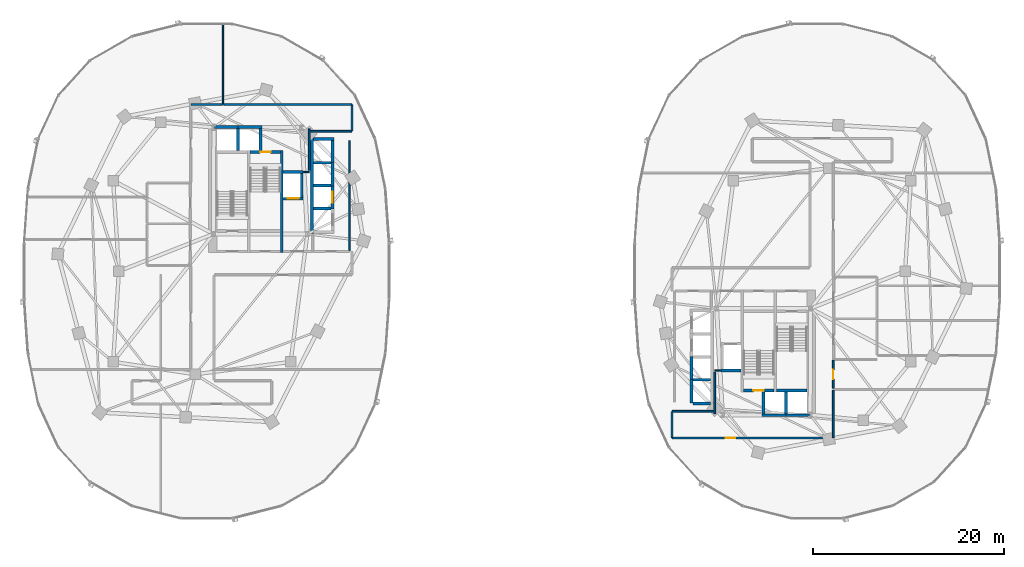
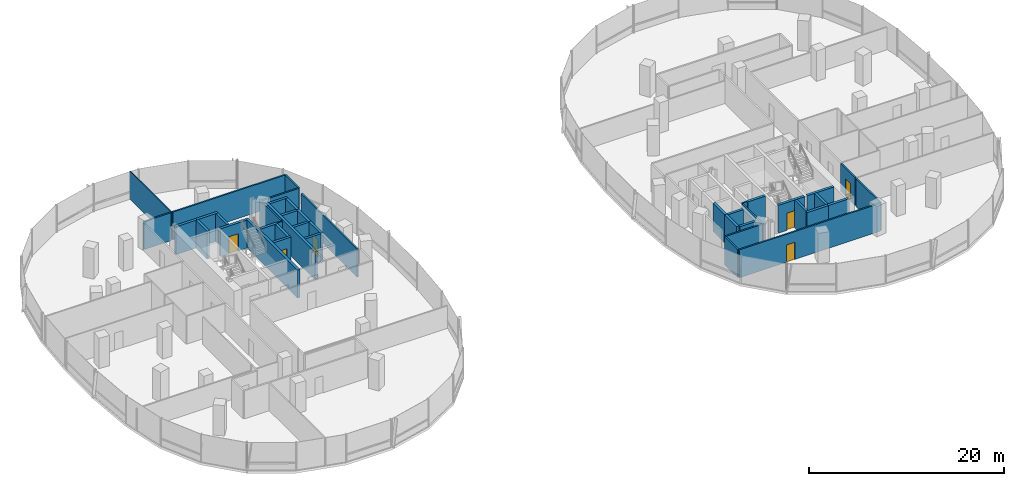
# One storey, part 12 of 21: 43 walls, 6 doors, 6 openings.
"""IFC4 building model written with IfcOpenShell, lengths in metres."""

from ifc_helpers import new_model, si_unit, direction, frame, frame_2d, origin, place, context, subcontext, project, spatial, rectangle, extrude, material, layer, layer_set, type_object, element, fill, save


model = new_model("IFC4")

# Units and contexts
model_context = context("Model", 3, precision=1e-05, world=origin(), true_north=direction((0.0, 1.0)))
body_context = subcontext(model_context, "Body", "Model", "MODEL_VIEW")
ifc_project = project(units=[si_unit("LENGTHUNIT", "METRE"), si_unit("AREAUNIT", "SQUARE_METRE"), si_unit("VOLUMEUNIT", "CUBIC_METRE"), si_unit("PLANEANGLEUNIT", "RADIAN"), si_unit("MASSUNIT", "GRAM", prefix="KILO"), si_unit("THERMODYNAMICTEMPERATUREUNIT", "KELVIN"), si_unit("POWERUNIT", "WATT")], contexts=[model_context])

# Site, building, storey
site_placement = place(None, origin())
site = spatial("IfcSite", under=ifc_project, at=site_placement, CompositionType="ELEMENT")
building_placement = place(site_placement, origin())
building = spatial("IfcBuilding", under=site, at=building_placement, Name="Cundina Bronze Exchange", CompositionType="ELEMENT")
storey_placement = place(building_placement, frame((0.0, 0.0, 54.39990234375)))
storey = spatial("IfcBuildingStorey", under=building, at=storey_placement, Name="L13", CompositionType="ELEMENT", Elevation=54.39990234375)

# Walls
ifc_material_1 = material(Name="Gypsum Fireboard Partition EI120")
ifc_layer_1 = layer(ifc_material_1, 0.179931640625, Name="Gypsum Fireboard Partition EI120")
ifc_layer_set_1 = layer_set([ifc_layer_1], Name="Gypsum Fireboard Partition EI120")
wall_type_1 = type_object("IfcWallType", Name="WL-COR-180", PredefinedType="PARTITIONING", material=ifc_layer_set_1)
wall_1_placement = place(storey_placement, frame((-17.02001953125, 2.169921875, 0.0), z_axis=(0.0, 0.0, 1.0), x_axis=(0.0, 1.0, 0.0)))
element("IfcWall", 1, at=wall_1_placement, inside=storey, type_object=wall_type_1, Name="L13 Interior Partition 001", PredefinedType="PARTITIONING", context=body_context, shape_type="SweptSolid", body=[
    extrude(rectangle(XDim=11.510009765625, YDim=0.179931640625, at=frame_2d((5.7548828125, 0.0))), origin(), (0.0, 0.0, 1.0), 3.5),
])
wall_2_placement = place(storey_placement, frame((-21.25, 10.570068359375, 0.0), z_axis=(0.0, 0.0, 1.0), x_axis=(0.0, 1.0, 0.0)))
element("IfcWall", 2, at=wall_2_placement, inside=storey, type_object=wall_type_1, Name="L13 Interior Partition 004", PredefinedType="PARTITIONING", context=body_context, shape_type="SweptSolid", body=[
    extrude(rectangle(XDim=4.35986328125, YDim=0.179931640625, at=frame_2d((2.179931640625, 0.0))), origin(), (0.0, 0.0, 1.0), 3.5),
])
wall_3_placement = place(storey_placement, frame((-16.821533203125, 17.469970703125, 0.0), z_axis=(0.0, 0.0, 1.0), x_axis=(-1.0, 0.0, 0.0)))
element("IfcWall", 3, at=wall_3_placement, inside=storey, type_object=wall_type_1, Name="L13 Interior Partition 032", PredefinedType="PARTITIONING", context=body_context, shape_type="SweptSolid", body=[
    extrude(rectangle(XDim=13.368408203125, YDim=0.179931640625, at=frame_2d((6.68408203125, 0.0))), origin(), (0.0, 0.0, 1.0), 3.5),
])
wall_4_placement = place(storey_placement, frame((-21.178466796875, 14.679931640625, 0.0), z_axis=(0.0, 0.0, 1.0), x_axis=(1.0, 0.0, 0.0)))
element("IfcWall", 4, at=wall_4_placement, inside=storey, type_object=wall_type_1, Name="L13 Interior Partition 034", PredefinedType="PARTITIONING", context=body_context, shape_type="SweptSolid", body=[
    extrude(rectangle(XDim=4.35693359375, YDim=0.179931640625, at=frame_2d((2.178466796875, 0.0))), origin(), (0.0, 0.0, 1.0), 3.5),
])
wall_5_placement = place(storey_placement, frame((-16.780029296875, 14.721435546875, 0.0), z_axis=(0.0, 0.0, 1.0), x_axis=(0.0, 1.0, 0.0)))
element("IfcWall", 5, at=wall_5_placement, inside=storey, type_object=wall_type_1, Name="L13 Interior Partition 035", PredefinedType="PARTITIONING", context=body_context, shape_type="SweptSolid", body=[
    extrude(rectangle(XDim=2.70703125, YDim=0.179931640625, at=frame_2d((1.353515625, 0.0))), origin(), (0.0, 0.0, 1.0), 3.5),
])
wall_6_placement = place(storey_placement, frame((-30.3701171875, 17.469970703125, 0.0), z_axis=(0.0, 0.0, 1.0), x_axis=(-1.0, 0.0, 0.0)))
element("IfcWall", 6, at=wall_6_placement, inside=storey, type_object=wall_type_1, Name="L13 Interior Partition 038", PredefinedType="PARTITIONING", context=body_context, shape_type="SweptSolid", body=[
    extrude(rectangle(XDim=3.25830078125, YDim=0.179931640625, at=frame_2d((1.629150390625, 0.0))), origin(), (0.0, 0.0, 1.0), 3.5),
])
wall_7_placement = place(storey_placement, frame((21.25, -14.929931640625, 0.0), z_axis=(0.0, 0.0, 1.0), x_axis=(0.0, 1.0, 0.0)))
element("IfcWall", 7, at=wall_7_placement, inside=storey, type_object=wall_type_1, Name="L13 Interior Partition 043", PredefinedType="PARTITIONING", context=body_context, shape_type="SweptSolid", body=[
    extrude(rectangle(XDim=4.35986328125, YDim=0.179931640625, at=frame_2d((2.179931640625, 0.0))), origin(), (0.0, 0.0, 1.0), 3.5),
])

# Wall, opening, door
wall_8_placement = place(storey_placement, frame((33.669921875, -12.2900390625, 0.0), z_axis=(0.0, 0.0, 1.0), x_axis=(0.0, 1.0, 0.0)))
wall_8 = element("IfcWall", 8, at=wall_8_placement, inside=storey, type_object=wall_type_1, Name="L13 Interior Partition 057", PredefinedType="PARTITIONING", context=body_context, shape_type="SweptSolid", body=[
    extrude(rectangle(XDim=2.938720703125, YDim=0.179931640625, at=frame_2d((1.46923828125, 0.0))), origin(), (0.0, 0.0, 1.0), 3.5),
])
opening_1_placement = place(wall_8_placement, frame((0.96923828125, 0.0, 0.0)))
opening_1 = element("IfcOpeningElement", 9, at=opening_1_placement, cuts=wall_8, Name="Opening DO-01", PredefinedType="OPENING", context=body_context, shape_type="SweptSolid", body=[
    extrude(rectangle(XDim=1.0, YDim=2.14990234375, at=frame_2d((0.5, 1.074951171875))), frame((0.0, 0.099853515625, 0.0), z_axis=(0.0, -1.0, 0.0), x_axis=(1.0, 0.0, 0.0)), (0.0, 0.0, 1.0), 0.199951171875),
])
ifc_material_2 = material(Name="Solid Andean Oak Timber Grade A", Category="wood")
door_type_1 = type_object("IfcDoorType", Name="DR-OFF-1000", OperationType="NOTDEFINED", PredefinedType="DOOR", material=ifc_material_2)
door_1_placement = place(opening_1_placement, origin())
door_1 = element("IfcDoor", 10, at=door_1_placement, inside=storey, type_object=door_type_1, Name="L13 Interior Door 057", OperationType="SINGLE_SWING_RIGHT", OverallHeight=2.14990234375, OverallWidth=1.0, PredefinedType="DOOR", context=body_context, shape_type="SweptSolid", body=[
    extrude(rectangle(XDim=1.0, YDim=2.14990234375, at=frame_2d((0.5, 1.074951171875))), frame((0.0, 0.02490234375, 0.0), z_axis=(0.0, -1.0, 0.0), x_axis=(1.0, 0.0, 0.0)), (0.0, 0.0, 1.0), 0.050048828125),
])
fill(opening_1, door_1)

wall_9_placement = place(storey_placement, frame((16.821533203125, -17.469970703125, 0.0), z_axis=(0.0, 0.0, 1.0), x_axis=(1.0, 0.0, 0.0)))
wall_9 = element("IfcWall", 11, at=wall_9_placement, inside=storey, type_object=wall_type_1, Name="L13 Interior Partition 058", PredefinedType="PARTITIONING", context=body_context, shape_type="SweptSolid", body=[
    extrude(rectangle(XDim=16.806884765625, YDim=0.179931640625, at=frame_2d((8.4033203125, 0.0))), origin(), (0.0, 0.0, 1.0), 3.5),
])
opening_2_placement = place(wall_9_placement, frame((5.568603515625, 0.0, 0.0)))
opening_2 = element("IfcOpeningElement", 12, at=opening_2_placement, cuts=wall_9, Name="Opening DO-01", PredefinedType="OPENING", context=body_context, shape_type="SweptSolid", body=[
    extrude(rectangle(XDim=1.0, YDim=2.14990234375, at=frame_2d((0.5, 1.074951171875))), frame((0.0, 0.099853515625, 0.0), z_axis=(0.0, -1.0, 0.0), x_axis=(1.0, 0.0, 0.0)), (0.0, 0.0, 1.0), 0.199951171875),
])
door_2_placement = place(opening_2_placement, origin())
door_2 = element("IfcDoor", 13, at=door_2_placement, inside=storey, type_object=door_type_1, Name="L13 Interior Door 058", OperationType="SINGLE_SWING_RIGHT", OverallHeight=2.14990234375, OverallWidth=1.0, PredefinedType="DOOR", context=body_context, shape_type="SweptSolid", body=[
    extrude(rectangle(XDim=1.0, YDim=2.14990234375, at=frame_2d((0.5, 1.074951171875))), frame((0.0, 0.02490234375, 0.0), z_axis=(0.0, -1.0, 0.0), x_axis=(1.0, 0.0, 0.0)), (0.0, 0.0, 1.0), 0.050048828125),
])
fill(opening_2, door_2)

# Walls
wall_10_placement = place(storey_placement, frame((33.669921875, -17.428466796875, 0.0), z_axis=(0.0, 0.0, 1.0), x_axis=(0.0, 1.0, 0.0)))
element("IfcWall", 14, at=wall_10_placement, inside=storey, type_object=wall_type_1, Name="L13 Interior Partition 061", PredefinedType="PARTITIONING", context=body_context, shape_type="SweptSolid", body=[
    extrude(rectangle(XDim=4.95849609375, YDim=0.179931640625, at=frame_2d((2.479248046875, 0.0))), origin(), (0.0, 0.0, 1.0), 3.5),
])
wall_11_placement = place(storey_placement, frame((21.178466796875, -14.679931640625, 0.0), z_axis=(0.0, 0.0, 1.0), x_axis=(-1.0, 0.0, 0.0)))
element("IfcWall", 15, at=wall_11_placement, inside=storey, type_object=wall_type_1, Name="L13 Interior Partition 062", PredefinedType="PARTITIONING", context=body_context, shape_type="SweptSolid", body=[
    extrude(rectangle(XDim=4.35693359375, YDim=0.179931640625, at=frame_2d((2.178466796875, 0.0))), origin(), (0.0, 0.0, 1.0), 3.5),
])
wall_12_placement = place(storey_placement, frame((16.780029296875, -14.721435546875, 0.0), z_axis=(0.0, 0.0, 1.0), x_axis=(0.0, -1.0, 0.0)))
element("IfcWall", 16, at=wall_12_placement, inside=storey, type_object=wall_type_1, Name="L13 Interior Partition 063", PredefinedType="PARTITIONING", context=body_context, shape_type="SweptSolid", body=[
    extrude(rectangle(XDim=2.70703125, YDim=0.179931640625, at=frame_2d((1.353515625, 0.0))), origin(), (0.0, 0.0, 1.0), 3.5),
])
ifc_material_3 = material(Name="Gypsum Acoustic Partition EI60")
ifc_layer_2 = layer(ifc_material_3, 0.125, Name="Gypsum Acoustic Partition EI60")
ifc_layer_set_2 = layer_set([ifc_layer_2], Name="Gypsum Acoustic Partition EI60")
wall_type_2 = type_object("IfcWallType", Name="WL-OFF-125", PredefinedType="PARTITIONING", material=ifc_layer_set_2)
wall_13_placement = place(storey_placement, frame((-30.280029296875, 17.5, 0.0), z_axis=(0.0, 0.0, 1.0), x_axis=(0.0, 1.0, 0.0)))
element("IfcWall", 17, at=wall_13_placement, inside=storey, type_object=wall_type_2, Name="L13 Interior Partition 022", PredefinedType="PARTITIONING", context=body_context, shape_type="SweptSolid", body=[
    extrude(rectangle(XDim=8.485107421875, YDim=0.125, at=frame_2d((4.24267578125, 0.0))), origin(), (0.0, 0.0, 1.0), 3.5),
])
ifc_material_4 = material(Name="Concrete C50/60", Category="concrete")
ifc_layer_3 = layer(ifc_material_4, 0.300048828125, Name="Concrete C50/60", Category="concrete")
ifc_layer_set_3 = layer_set([ifc_layer_3], Name="Concrete C50/60")
wall_type_3 = type_object("IfcWallType", Name="WL-SHFT-300", PredefinedType="SHEAR", material=ifc_layer_set_3)
wall_14_placement = place(storey_placement, frame((-24.1298828125, 1.969970703125, 0.0), z_axis=(0.0, 0.0, 1.0), x_axis=(0.0, 1.0, 0.0)))
element("IfcWall", 18, at=wall_14_placement, inside=storey, type_object=wall_type_3, Name="L13 W Stair 2 East Shear Wall", PredefinedType="SHEAR", context=body_context, shape_type="SweptSolid", body=[
    extrude(rectangle(XDim=10.679931640625, YDim=0.300048828125, at=frame_2d((5.33984375, 0.0))), origin(), (0.0, 0.0, 1.0), 3.5),
])

# Wall, opening, door
wall_15_placement = place(storey_placement, frame((-27.43994140625, 12.5, 0.0), z_axis=(0.0, 0.0, 1.0), x_axis=(1.0, 0.0, 0.0)))
wall_15 = element("IfcWall", 19, at=wall_15_placement, inside=storey, type_object=wall_type_3, Name="L13 Stair W2 Landing Wall", PredefinedType="SHEAR", context=body_context, shape_type="SweptSolid", body=[
    extrude(rectangle(XDim=3.159912109375, YDim=0.300048828125, at=frame_2d((1.580078125, 0.0))), origin(), (0.0, 0.0, 1.0), 3.5),
])
opening_3_placement = place(wall_15_placement, frame((1.030029296875, 0.0, 0.0)))
opening_3 = element("IfcOpeningElement", 20, at=opening_3_placement, cuts=wall_15, Name="Opening DS-01", PredefinedType="OPENING", context=body_context, shape_type="SweptSolid", body=[
    extrude(rectangle(XDim=1.10009765625, YDim=2.14990234375, at=frame_2d((0.550048828125, 1.074951171875))), frame((0.0, 0.159912109375, 0.0), z_axis=(0.0, -1.0, 0.0), x_axis=(1.0, 0.0, 0.0)), (0.0, 0.0, 1.0), 0.320068359375),
])
ifc_material_5 = material(Name="Steel ASTM A36 Painted", Category="steel")
door_type_2 = type_object("IfcDoorType", Name="DR-STR-1100", OperationType="NOTDEFINED", PredefinedType="DOOR", material=ifc_material_5)
door_3_placement = place(opening_3_placement, origin())
door_3 = element("IfcDoor", 21, at=door_3_placement, inside=storey, type_object=door_type_2, Name="L13 Smokeproof Stair W2 Door", OperationType="SINGLE_SWING_LEFT", OverallHeight=2.14990234375, OverallWidth=1.10009765625, PredefinedType="DOOR", context=body_context, shape_type="SweptSolid", body=[
    extrude(rectangle(XDim=1.10009765625, YDim=2.14990234375, at=frame_2d((0.550048828125, 1.074951171875))), frame((0.0, 0.02490234375, 0.0), z_axis=(0.0, -1.0, 0.0), x_axis=(1.0, 0.0, 0.0)), (0.0, 0.0, 1.0), 0.050048828125),
])
fill(opening_3, door_3)

wall_16_placement = place(storey_placement, frame((-23.97998046875, 7.60009765625, 0.0), z_axis=(0.0, 0.0, 1.0), x_axis=(1.0, 0.0, 0.0)))
wall_16 = element("IfcWall", 22, at=wall_16_placement, inside=storey, type_object=wall_type_3, Name="L13 FFL-W Hoistway Front Wall", PredefinedType="SHEAR", context=body_context, shape_type="SweptSolid", body=[
    extrude(rectangle(XDim=2.10009765625, YDim=0.300048828125, at=frame_2d((1.050048828125, 0.0))), origin(), (0.0, 0.0, 1.0), 3.5),
])
opening_4_placement = place(wall_16_placement, frame((0.47509765625, 0.0, 0.0)))
opening_4 = element("IfcOpeningElement", 23, at=opening_4_placement, cuts=wall_16, Name="Opening LD-01", PredefinedType="OPENING", context=body_context, shape_type="SweptSolid", body=[
    extrude(rectangle(XDim=1.14990234375, YDim=2.199951171875, at=frame_2d((0.574951171875, 1.10009765625))), frame((0.0, 0.159912109375, 0.0), z_axis=(0.0, -1.0, 0.0), x_axis=(1.0, 0.0, 0.0)), (0.0, 0.0, 1.0), 0.320068359375),
])
door_type_3 = type_object("IfcDoorType", Name="DR-LND-1150", OperationType="NOTDEFINED", PredefinedType="TRAPDOOR", material=ifc_material_5)
door_4_placement = place(opening_4_placement, origin())
door_4 = element("IfcDoor", 24, at=door_4_placement, inside=storey, type_object=door_type_3, Name="L13 FFL-W Sliding Landing Door", OperationType="SLIDING_TO_LEFT", OverallHeight=2.199951171875, OverallWidth=1.14990234375, PredefinedType="TRAPDOOR", context=body_context, shape_type="SweptSolid", body=[
    extrude(rectangle(XDim=1.14990234375, YDim=2.199951171875, at=frame_2d((0.574951171875, 1.10009765625))), frame((0.0, 0.02490234375, 0.0), z_axis=(0.0, -1.0, 0.0), x_axis=(1.0, 0.0, 0.0)), (0.0, 0.0, 1.0), 0.050048828125),
])
fill(opening_4, door_4)

# Walls
wall_17_placement = place(storey_placement, frame((-23.97998046875, 10.39990234375, 0.0), z_axis=(0.0, 0.0, 1.0), x_axis=(1.0, 0.0, 0.0)))
element("IfcWall", 25, at=wall_17_placement, inside=storey, type_object=wall_type_3, Name="L13 FFL-W Hoistway Back Wall", PredefinedType="SHEAR", context=body_context, shape_type="SweptSolid", body=[
    extrude(rectangle(XDim=2.10009765625, YDim=0.300048828125, at=frame_2d((1.050048828125, 0.0))), origin(), (0.0, 0.0, 1.0), 3.5),
])
for number, where, z_axis, x_axis, name in (
    (26, (-22.030029296875, 7.75, 0.0), (0.0, 0.0, 1.0), (0.0, 1.0, 0.0), "L13 FFL-W Hoistway Side Wall"),
    (27, (-31.199951171875, 15.10009765625, 0.0), (0.0, 0.0, 1.0), (1.0, 0.0, 0.0), "L13 PH-W1 Hoistway Front Wall"),
):
    element("IfcWall", number, at=place(storey_placement, frame(where, z_axis=z_axis, x_axis=x_axis)), inside=storey, type_object=wall_type_3, Name=name, PredefinedType="SHEAR", context=body_context, shape_type="SweptSolid", body=[
        extrude(rectangle(XDim=2.5, YDim=0.300048828125, at=frame_2d((1.25, 0.0))), origin(), (0.0, 0.0, 1.0), 3.5),
    ])
wall_18_placement = place(storey_placement, frame((-28.699951171875, 12.64990234375, 0.0), z_axis=(0.0, 0.0, 1.0), x_axis=(0.0, 1.0, 0.0)))
element("IfcWall", 28, at=wall_18_placement, inside=storey, type_object=wall_type_3, Name="L13 PH-W1 Hoistway Divider Wall", PredefinedType="SHEAR", context=body_context, shape_type="SweptSolid", body=[
    extrude(rectangle(XDim=2.300048828125, YDim=0.300048828125, at=frame_2d((1.14990234375, 0.0))), origin(), (0.0, 0.0, 1.0), 3.5),
])
wall_19_placement = place(storey_placement, frame((-28.699951171875, 15.10009765625, 0.0), z_axis=(0.0, 0.0, 1.0), x_axis=(1.0, 0.0, 0.0)))
element("IfcWall", 29, at=wall_19_placement, inside=storey, type_object=wall_type_3, Name="L13 PH-W2 Hoistway Front Wall", PredefinedType="SHEAR", context=body_context, shape_type="SweptSolid", body=[
    extrude(rectangle(XDim=2.5, YDim=0.300048828125, at=frame_2d((1.25, 0.0))), origin(), (0.0, 0.0, 1.0), 3.5),
])
wall_20_placement = place(storey_placement, frame((-26.35009765625, 12.64990234375, 0.0), z_axis=(0.0, 0.0, 1.0), x_axis=(0.0, 1.0, 0.0)))
element("IfcWall", 30, at=wall_20_placement, inside=storey, type_object=wall_type_3, Name="L13 PH-W2 Hoistway Divider Wall", PredefinedType="SHEAR", context=body_context, shape_type="SweptSolid", body=[
    extrude(rectangle(XDim=2.300048828125, YDim=0.300048828125, at=frame_2d((1.14990234375, 0.0))), origin(), (0.0, 0.0, 1.0), 3.5),
])
wall_21_placement = place(storey_placement, frame((-20.949951171875, 3.949951171875, 0.0), z_axis=(0.0, 0.0, 1.0), x_axis=(0.0, 1.0, 0.0)))
element("IfcWall", 31, at=wall_21_placement, inside=storey, type_object=wall_type_3, Name="L13 W Passenger Bank Hoistway Back Wall", PredefinedType="SHEAR", context=body_context, shape_type="SweptSolid", body=[
    extrude(rectangle(XDim=10.050048828125, YDim=0.300048828125, at=frame_2d((5.02490234375, 0.0))), origin(), (0.0, 0.0, 1.0), 3.5),
])
wall_22_placement = place(storey_placement, frame((-20.800048828125, 13.85009765625, 0.0), z_axis=(0.0, 0.0, 1.0), x_axis=(1.0, 0.0, 0.0)))
element("IfcWall", 32, at=wall_22_placement, inside=storey, type_object=wall_type_3, Name="L13 W Passenger Bank North Cap Wall", PredefinedType="SHEAR", context=body_context, shape_type="SweptSolid", body=[
    extrude(rectangle(XDim=2.150146484375, YDim=0.300048828125, at=frame_2d((1.0751953125, 0.0))), origin(), (0.0, 0.0, 1.0), 3.5),
])
for number, where, z_axis, x_axis, name in (
    (33, (-20.800048828125, 6.574951171875, 0.0), (0.0, 0.0, 1.0), (1.0, 0.0, 0.0), "L13 W Passenger Hoistway Divider 1"),
    (34, (-20.800048828125, 8.97509765625, 0.0), (0.0, 0.0, 1.0), (1.0, 0.0, 0.0), "L13 W Passenger Hoistway Divider 2"),
    (35, (-20.800048828125, 11.375, 0.0), (0.0, 0.0, 1.0), (1.0, 0.0, 0.0), "L13 W Passenger Hoistway Divider 3"),
):
    element("IfcWall", number, at=place(storey_placement, frame(where, z_axis=z_axis, x_axis=x_axis)), inside=storey, type_object=wall_type_3, Name=name, PredefinedType="SHEAR", context=body_context, shape_type="SweptSolid", body=[
        extrude(rectangle(XDim=1.85009765625, YDim=0.300048828125, at=frame_2d((0.925048828125, 0.0))), origin(), (0.0, 0.0, 1.0), 3.5),
    ])

# Wall, opening, door
wall_23_placement = place(storey_placement, frame((-18.800048828125, 6.530029296875, 0.0), z_axis=(0.0, 0.0, 1.0), x_axis=(0.0, 1.0, 0.0)))
wall_23 = element("IfcWall", 36, at=wall_23_placement, inside=storey, type_object=wall_type_3, Name="L13 PL-W1 Hoistway Front Wall", PredefinedType="SHEAR", context=body_context, shape_type="SweptSolid", body=[
    extrude(rectangle(XDim=2.489990234375, YDim=0.300048828125, at=frame_2d((1.2451171875, 0.0))), origin(), (0.0, 0.0, 1.0), 3.5),
])
opening_5_placement = place(wall_23_placement, frame((0.669921875, 0.0, 0.0)))
opening_5 = element("IfcOpeningElement", 37, at=opening_5_placement, cuts=wall_23, Name="Opening LD-01", PredefinedType="OPENING", context=body_context, shape_type="SweptSolid", body=[
    extrude(rectangle(XDim=1.14990234375, YDim=2.199951171875, at=frame_2d((0.574951171875, 1.10009765625))), frame((0.0, 0.159912109375, 0.0), z_axis=(0.0, -1.0, 0.0), x_axis=(1.0, 0.0, 0.0)), (0.0, 0.0, 1.0), 0.320068359375),
])
door_5_placement = place(opening_5_placement, origin())
door_5 = element("IfcDoor", 38, at=door_5_placement, inside=storey, type_object=door_type_3, Name="L13 PL-W1 Sliding Landing Door", OperationType="SLIDING_TO_LEFT", OverallHeight=2.199951171875, OverallWidth=1.14990234375, PredefinedType="TRAPDOOR", context=body_context, shape_type="SweptSolid", body=[
    extrude(rectangle(XDim=1.14990234375, YDim=2.199951171875, at=frame_2d((0.574951171875, 1.10009765625))), frame((0.0, 0.02490234375, 0.0), z_axis=(0.0, -1.0, 0.0), x_axis=(1.0, 0.0, 0.0)), (0.0, 0.0, 1.0), 0.050048828125),
])
fill(opening_5, door_5)

# Walls
for number, where, z_axis, x_axis, name in (
    (39, (-18.800048828125, 8.929931640625, 0.0), (0.0, 0.0, 1.0), (0.0, 1.0, 0.0), "L13 PM-W2 Hoistway Front Wall"),
    (40, (-18.800048828125, 11.330078125, 0.0), (0.0, 0.0, 1.0), (0.0, 1.0, 0.0), "L13 PM-W1 Hoistway Front Wall"),
):
    element("IfcWall", number, at=place(storey_placement, frame(where, z_axis=z_axis, x_axis=x_axis)), inside=storey, type_object=wall_type_3, Name=name, PredefinedType="SHEAR", context=body_context, shape_type="SweptSolid", body=[
        extrude(rectangle(XDim=2.489990234375, YDim=0.300048828125, at=frame_2d((1.2451171875, 0.0))), origin(), (0.0, 0.0, 1.0), 3.5),
    ])
wall_24_placement = place(storey_placement, frame((27.739990234375, -12.5, 0.0), z_axis=(0.0, 0.0, 1.0), x_axis=(1.0, 0.0, 0.0)))
element("IfcWall", 41, at=wall_24_placement, inside=storey, type_object=wall_type_3, Name="L13 Stair E1 Far Shaft Wall", PredefinedType="SHEAR", context=body_context, shape_type="SweptSolid", body=[
    extrude(rectangle(XDim=3.159912109375, YDim=0.300048828125, at=frame_2d((1.580078125, 0.0))), origin(), (0.0, 0.0, 1.0), 3.5),
])

# Wall, opening, door
wall_25_placement = place(storey_placement, frame((24.280029296875, -12.5, 0.0), z_axis=(0.0, 0.0, 1.0), x_axis=(1.0, 0.0, 0.0)))
wall_25 = element("IfcWall", 42, at=wall_25_placement, inside=storey, type_object=wall_type_3, Name="L13 Stair E2 Landing Wall", PredefinedType="SHEAR", context=body_context, shape_type="SweptSolid", body=[
    extrude(rectangle(XDim=3.159912109375, YDim=0.300048828125, at=frame_2d((1.580078125, 0.0))), origin(), (0.0, 0.0, 1.0), 3.5),
])
opening_6_placement = place(wall_25_placement, frame((1.030029296875, 0.0, 0.0)))
opening_6 = element("IfcOpeningElement", 43, at=opening_6_placement, cuts=wall_25, Name="Opening DS-01", PredefinedType="OPENING", context=body_context, shape_type="SweptSolid", body=[
    extrude(rectangle(XDim=1.10009765625, YDim=2.14990234375, at=frame_2d((0.550048828125, 1.074951171875))), frame((0.0, 0.159912109375, 0.0), z_axis=(0.0, -1.0, 0.0), x_axis=(1.0, 0.0, 0.0)), (0.0, 0.0, 1.0), 0.320068359375),
])
door_6_placement = place(opening_6_placement, origin())
door_6 = element("IfcDoor", 44, at=door_6_placement, inside=storey, type_object=door_type_2, Name="L13 Smokeproof Stair E2 Door", OperationType="SINGLE_SWING_RIGHT", OverallHeight=2.14990234375, OverallWidth=1.10009765625, PredefinedType="DOOR", context=body_context, shape_type="SweptSolid", body=[
    extrude(rectangle(XDim=1.10009765625, YDim=2.14990234375, at=frame_2d((0.550048828125, 1.074951171875))), frame((0.0, 0.02490234375, 0.0), z_axis=(0.0, -1.0, 0.0), x_axis=(1.0, 0.0, 0.0)), (0.0, 0.0, 1.0), 0.050048828125),
])
fill(opening_6, door_6)

# Walls
wall_26_placement = place(storey_placement, frame((21.8798828125, -10.39990234375, 0.0), z_axis=(0.0, 0.0, 1.0), x_axis=(1.0, 0.0, 0.0)))
element("IfcWall", 45, at=wall_26_placement, inside=storey, type_object=wall_type_3, Name="L13 FFL-E Hoistway Back Wall", PredefinedType="SHEAR", context=body_context, shape_type="SweptSolid", body=[
    extrude(rectangle(XDim=2.10009765625, YDim=0.300048828125, at=frame_2d((1.050048828125, 0.0))), origin(), (0.0, 0.0, 1.0), 3.5),
])
wall_27_placement = place(storey_placement, frame((28.699951171875, -15.10009765625, 0.0), z_axis=(0.0, 0.0, 1.0), x_axis=(1.0, 0.0, 0.0)))
element("IfcWall", 46, at=wall_27_placement, inside=storey, type_object=wall_type_3, Name="L13 PH-E1 Hoistway Front Wall", PredefinedType="SHEAR", context=body_context, shape_type="SweptSolid", body=[
    extrude(rectangle(XDim=2.5, YDim=0.300048828125, at=frame_2d((1.25, 0.0))), origin(), (0.0, 0.0, 1.0), 3.5),
])
wall_28_placement = place(storey_placement, frame((28.699951171875, -14.949951171875, 0.0), z_axis=(0.0, 0.0, 1.0), x_axis=(0.0, 1.0, 0.0)))
element("IfcWall", 47, at=wall_28_placement, inside=storey, type_object=wall_type_3, Name="L13 PH-E1 Hoistway Divider Wall", PredefinedType="SHEAR", context=body_context, shape_type="SweptSolid", body=[
    extrude(rectangle(XDim=2.300048828125, YDim=0.300048828125, at=frame_2d((1.14990234375, 0.0))), origin(), (0.0, 0.0, 1.0), 3.5),
])
wall_29_placement = place(storey_placement, frame((26.199951171875, -15.10009765625, 0.0), z_axis=(0.0, 0.0, 1.0), x_axis=(1.0, 0.0, 0.0)))
element("IfcWall", 48, at=wall_29_placement, inside=storey, type_object=wall_type_3, Name="L13 PH-E2 Hoistway Front Wall", PredefinedType="SHEAR", context=body_context, shape_type="SweptSolid", body=[
    extrude(rectangle(XDim=2.5, YDim=0.300048828125, at=frame_2d((1.25, 0.0))), origin(), (0.0, 0.0, 1.0), 3.5),
])
wall_30_placement = place(storey_placement, frame((26.35009765625, -14.949951171875, 0.0), z_axis=(0.0, 0.0, 1.0), x_axis=(0.0, 1.0, 0.0)))
element("IfcWall", 49, at=wall_30_placement, inside=storey, type_object=wall_type_3, Name="L13 PH-E2 Hoistway Divider Wall", PredefinedType="SHEAR", context=body_context, shape_type="SweptSolid", body=[
    extrude(rectangle(XDim=2.300048828125, YDim=0.300048828125, at=frame_2d((1.14990234375, 0.0))), origin(), (0.0, 0.0, 1.0), 3.5),
])
for number, where, z_axis, x_axis, name in (
    (50, (18.949951171875, -13.85009765625, 0.0), (0.0, 0.0, 1.0), (1.0, 0.0, 0.0), "L13 E Passenger Bank South Cap Wall"),
    (51, (18.949951171875, -11.375, 0.0), (0.0, 0.0, 1.0), (1.0, 0.0, 0.0), "L13 E Passenger Hoistway Divider 1"),
):
    element("IfcWall", number, at=place(storey_placement, frame(where, z_axis=z_axis, x_axis=x_axis)), inside=storey, type_object=wall_type_3, Name=name, PredefinedType="SHEAR", context=body_context, shape_type="SweptSolid", body=[
        extrude(rectangle(XDim=1.85009765625, YDim=0.300048828125, at=frame_2d((0.925048828125, 0.0))), origin(), (0.0, 0.0, 1.0), 3.5),
    ])
for number, where, z_axis, x_axis, name in (
    (52, (18.800048828125, -13.820068359375, 0.0), (0.0, 0.0, 1.0), (0.0, 1.0, 0.0), "L13 PM-E1 Hoistway Front Wall"),
    (53, (18.800048828125, -11.419921875, 0.0), (0.0, 0.0, 1.0), (0.0, 1.0, 0.0), "L13 PM-E2 Hoistway Front Wall"),
):
    element("IfcWall", number, at=place(storey_placement, frame(where, z_axis=z_axis, x_axis=x_axis)), inside=storey, type_object=wall_type_3, Name=name, PredefinedType="SHEAR", context=body_context, shape_type="SweptSolid", body=[
        extrude(rectangle(XDim=2.489990234375, YDim=0.300048828125, at=frame_2d((1.2451171875, 0.0))), origin(), (0.0, 0.0, 1.0), 3.5),
    ])
ifc_material_6 = material(Name="Moisture-Resistant Masonry Block Grade M15", Category="masonry")
ifc_layer_4 = layer(ifc_material_6, 0.139892578125, Name="Moisture-Resistant Masonry Block Grade M15", Category="masonry")
ifc_layer_set_4 = layer_set([ifc_layer_4], Name="Moisture-Resistant Masonry Block Grade M15")
wall_type_4 = type_object("IfcWallType", Name="WL-WET-140", PredefinedType="PARTITIONING", material=ifc_layer_set_4)
for number, where, z_axis, x_axis, name in (
    (54, (-21.860107421875, 10.39990234375, 0.0), (0.0, 0.0, 1.0), (1.0, 0.0, 0.0), "L13 Interior Partition 003"),
    (55, (21.27001953125, -10.39990234375, 0.0), (0.0, 0.0, 1.0), (1.0, 0.0, 0.0), "L13 Interior Partition 042"),
):
    element("IfcWall", number, at=place(storey_placement, frame(where, z_axis=z_axis, x_axis=x_axis)), inside=storey, type_object=wall_type_4, Name=name, PredefinedType="PARTITIONING", context=body_context, shape_type="SweptSolid", body=[
        extrude(rectangle(XDim=0.590087890625, YDim=0.139892578125, at=frame_2d((0.294921875, 0.0))), origin(), (0.0, 0.0, 1.0), 3.5),
    ])

save(model, "model.ifc")
